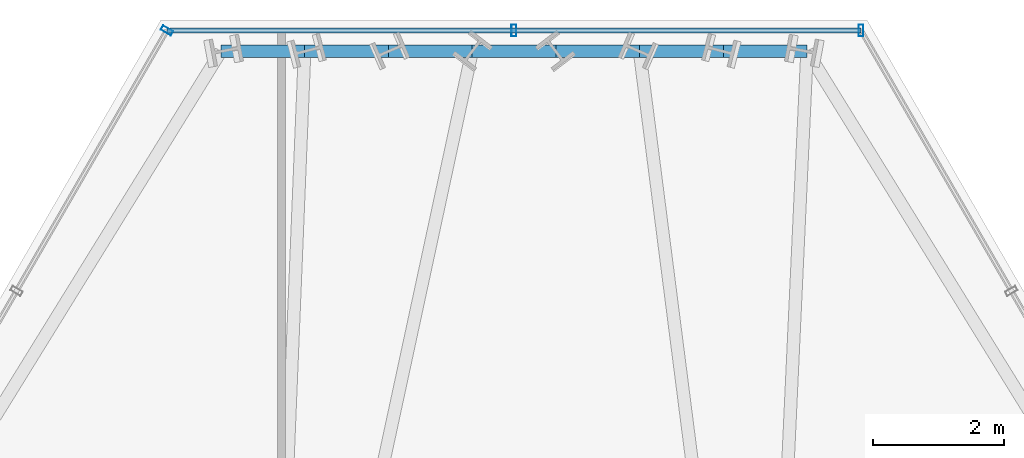
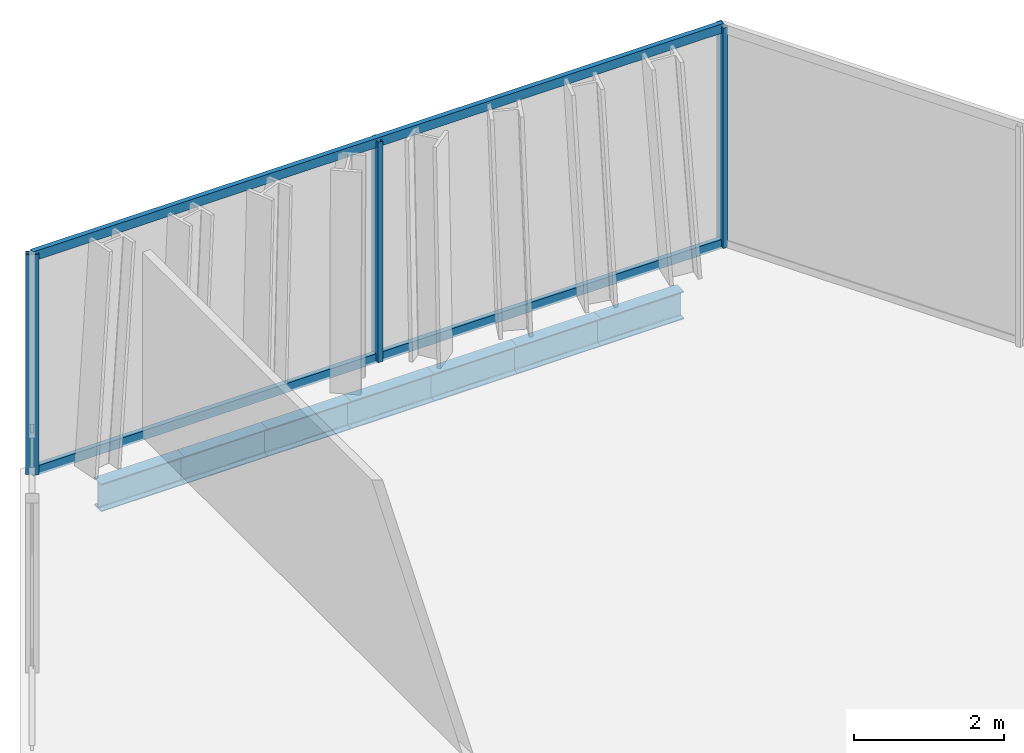
# One storey, part 24 of 33: 7 beams, 5 members, 2 elements without a shape of their own.
"""IFC4 building model written with IfcOpenShell, lengths in metres."""

from ifc_helpers import new_model, si_unit, direction, frame, origin, origin_2d, place, context, subcontext, project, spatial, hollow_rectangle, i_section, extrude, material, layer, layer_set, material_profile, profile_set, type_object, element, aggregate, save


model = new_model("IFC4")

# Units and contexts
model_context = context("Model", 3, precision=1e-05, world=origin(), true_north=direction((0.0, 1.0)))
body_context = subcontext(model_context, "Body", "Model", "MODEL_VIEW")
ifc_project = project(units=[si_unit("LENGTHUNIT", "METRE"), si_unit("AREAUNIT", "SQUARE_METRE"), si_unit("VOLUMEUNIT", "CUBIC_METRE"), si_unit("PLANEANGLEUNIT", "RADIAN"), si_unit("MASSUNIT", "GRAM", prefix="KILO")], contexts=[model_context])

# Site, building, storey
site_placement = place(None, origin())
site = spatial("IfcSite", under=ifc_project, at=site_placement, CompositionType="ELEMENT")
building_placement = place(site_placement, origin())
building = spatial("IfcBuilding", under=site, at=building_placement, Name="Ndaravel Arena Tower", CompositionType="ELEMENT")
storey_placement = place(building_placement, frame((0.0, 0.0, 168.800048828125)))
storey = spatial("IfcBuildingStorey", under=building, at=storey_placement, Name="L40", CompositionType="ELEMENT", Elevation=168.800048828125)

# Beams
ifc_material_1 = material(Name="Steel S355", Category="steel")
ifc_material_profile_1 = material_profile(ifc_material_1, i_section(OverallWidth=0.18994140625, OverallDepth=0.449951171875, WebThickness=0.009521484375, FlangeThickness=0.0146484375, FilletRadius=0.02099609375, at=origin_2d()), Name="IPE 450")
ifc_profile_set_1 = profile_set([ifc_material_profile_1], Name="Steel S355")
beam_type = type_object("IfcBeamType", Name="BM-SPAN-IPE450", PredefinedType="SPANDREL", material=ifc_profile_set_1)
for number, where, z_axis, x_axis, name in (
    (1, (46.480224609375, 45.881591796875, -0.445068359375), (-1.0, 0.0, 0.0), (0.0, -1.0, 0.0), "L40 Perimeter Spandrel Beam SP-11"),
    (2, (45.2001953125, 45.881591796875, -0.445068359375), (-1.0, 0.0, 0.0), (0.0, -1.0, 0.0), "L40 Perimeter Spandrel Beam SP-12"),
):
    element("IfcBeam", number, at=place(storey_placement, frame(where, z_axis=z_axis, x_axis=x_axis)), inside=storey, type_object=beam_type, Name=name, PredefinedType="SPANDREL", context=body_context, shape_type="SweptSolid", body=[
        extrude(i_section(OverallWidth=0.18994140625, OverallDepth=0.449951171875, WebThickness=0.009521484375, FlangeThickness=0.0146484375, FilletRadius=0.02099609375, at=origin_2d()), origin(), (0.0, 0.0, 1.0), 1.280029296875),
    ])
beam_1_placement = place(storey_placement, frame((43.920166015625, 45.881591796875, -0.445068359375), z_axis=(-1.0, 0.0, 0.0), x_axis=(0.0, -1.0, 0.0)))
element("IfcBeam", 3, at=beam_1_placement, inside=storey, type_object=beam_type, Name="L40 Perimeter Spandrel Beam SP-13", PredefinedType="SPANDREL", context=body_context, shape_type="SweptSolid", body=[
    extrude(i_section(OverallWidth=0.18994140625, OverallDepth=0.449951171875, WebThickness=0.009521484375, FlangeThickness=0.0146484375, FilletRadius=0.02099609375, at=origin_2d()), origin(), (0.0, 0.0, 1.0), 1.2802734375),
])
beam_2_placement = place(storey_placement, frame((42.639892578125, 45.881591796875, -0.445068359375), z_axis=(-1.0, 0.0, 0.0), x_axis=(0.0, -1.0, 0.0)))
element("IfcBeam", 4, at=beam_2_placement, inside=storey, type_object=beam_type, Name="L40 Perimeter Spandrel Beam SP-14", PredefinedType="SPANDREL", context=body_context, shape_type="SweptSolid", body=[
    extrude(i_section(OverallWidth=0.18994140625, OverallDepth=0.449951171875, WebThickness=0.009521484375, FlangeThickness=0.0146484375, FilletRadius=0.02099609375, at=origin_2d()), origin(), (0.0, 0.0, 1.0), 1.27978515625),
])
beam_3_placement = place(storey_placement, frame((41.360107421875, 45.881591796875, -0.445068359375), z_axis=(-1.0, 0.0, 0.0), x_axis=(0.0, -1.0, 0.0)))
element("IfcBeam", 5, at=beam_3_placement, inside=storey, type_object=beam_type, Name="L40 Perimeter Spandrel Beam SP-15", PredefinedType="SPANDREL", context=body_context, shape_type="SweptSolid", body=[
    extrude(i_section(OverallWidth=0.18994140625, OverallDepth=0.449951171875, WebThickness=0.009521484375, FlangeThickness=0.0146484375, FilletRadius=0.02099609375, at=origin_2d()), origin(), (0.0, 0.0, 1.0), 1.2802734375),
])
for number, where, z_axis, x_axis, name in (
    (6, (40.079833984375, 45.881591796875, -0.445068359375), (-1.0, 0.0, 0.0), (0.0, -1.0, 0.0), "L40 Perimeter Spandrel Beam SP-16"),
    (7, (38.7998046875, 45.881591796875, -0.445068359375), (-1.0, 0.0, 0.0), (0.0, -1.0, 0.0), "L40 Perimeter Spandrel Beam SP-17"),
):
    element("IfcBeam", number, at=place(storey_placement, frame(where, z_axis=z_axis, x_axis=x_axis)), inside=storey, type_object=beam_type, Name=name, PredefinedType="SPANDREL", context=body_context, shape_type="SweptSolid", body=[
        extrude(i_section(OverallWidth=0.18994140625, OverallDepth=0.449951171875, WebThickness=0.009521484375, FlangeThickness=0.0146484375, FilletRadius=0.02099609375, at=origin_2d()), origin(), (0.0, 0.0, 1.0), 1.280029296875),
    ])

# Curtain wall, members
ifc_material_2 = material(Name="Aluminium", Category="aluminium")
ifc_layer_1 = layer(ifc_material_2, 0.179931640625)
ifc_layer_set_1 = layer_set([ifc_layer_1], Name="Aluminium")
curtain_wall_type_1 = type_object("IfcCurtainWallType", Name="CW-SYS-01", PredefinedType="NOTDEFINED", material=ifc_layer_set_1)
curtain_wall_1_placement = place(storey_placement, origin())
curtain_wall_1 = element("IfcCurtainWall", 8, at=curtain_wall_1_placement, inside=storey, type_object=curtain_wall_type_1, Name="L40 Faceted Crystal Curtain Wall CW-L40-E04", PredefinedType="NOTDEFINED")
ifc_material_3 = material(Name="Aluminium", Category="aluminium")
ifc_material_profile_2 = material_profile(ifc_material_3, hollow_rectangle(XDim=0.074951171875, YDim=0.179931640625, WallThickness=0.00390625, at=origin_2d()), Name="CW MULLION 75x180x4")
ifc_profile_set_2 = profile_set([ifc_material_profile_2], Name="Aluminium")
member_type_1 = type_object("IfcMemberType", Name="MEM-CW-MUL180", PredefinedType="MULLION", material=ifc_profile_set_2)
member_1_placement = place(storey_placement, frame((47.304931640625, 46.20166015625, 0.0), z_axis=(0.0, 0.0, 1.0), x_axis=(-1.0, 0.0, 0.0)))
member_1 = element("IfcMember", 9, at=member_1_placement, type_object=member_type_1, Name="CW-L40-E04 Mullion 00", PredefinedType="MULLION", context=body_context, shape_type="SweptSolid", body=[
    extrude(hollow_rectangle(XDim=0.074951171875, YDim=0.179931640625, WallThickness=0.00390625, at=origin_2d()), origin(), (0.0, 0.0, 1.0), 3.579833984375),
])
member_2_placement = place(storey_placement, frame((42.0, 46.20166015625, 0.0), z_axis=(0.0, 0.0, 1.0), x_axis=(-1.0, 0.0, 0.0)))
member_2 = element("IfcMember", 10, at=member_2_placement, type_object=member_type_1, Name="CW-L40-E04 Mullion 01", PredefinedType="MULLION", context=body_context, shape_type="SweptSolid", body=[
    extrude(hollow_rectangle(XDim=0.074951171875, YDim=0.179931640625, WallThickness=0.00390625, at=origin_2d()), origin(), (0.0, 0.0, 1.0), 3.579833984375),
])

# Curtain wall, member
ifc_material_4 = material(Name="Aluminium", Category="aluminium")
ifc_layer_2 = layer(ifc_material_4, 0.179931640625)
ifc_layer_set_2 = layer_set([ifc_layer_2], Name="Aluminium")
curtain_wall_type_2 = type_object("IfcCurtainWallType", Name="CW-SYS-03", PredefinedType="NOTDEFINED", material=ifc_layer_set_2)
curtain_wall_2_placement = place(storey_placement, origin())
curtain_wall_2 = element("IfcCurtainWall", 11, at=curtain_wall_2_placement, inside=storey, type_object=curtain_wall_type_2, Name="L40 Faceted Crystal Curtain Wall CW-L40-E05", PredefinedType="NOTDEFINED")
member_3_placement = place(storey_placement, frame((36.695068359375, 46.20166015625, 0.0), z_axis=(0.0, 0.0, 1.0), x_axis=(-0.5, -0.866025403784, 0.0)))
member_3 = element("IfcMember", 12, at=member_3_placement, type_object=member_type_1, Name="CW-L40-E05 Mullion 00", PredefinedType="MULLION", context=body_context, shape_type="SweptSolid", body=[
    extrude(hollow_rectangle(XDim=0.074951171875, YDim=0.179931640625, WallThickness=0.00390625, at=origin_2d()), origin(), (0.0, 0.0, 1.0), 3.579833984375),
])
aggregate(curtain_wall_2, [member_3])

# Member
ifc_material_5 = material(Name="Aluminium", Category="aluminium")
ifc_material_profile_3 = material_profile(ifc_material_5, hollow_rectangle(XDim=0.074951171875, YDim=0.14990234375, WallThickness=0.00390625, at=origin_2d()), Name="CW TRANSOM 75x150x4")
ifc_profile_set_3 = profile_set([ifc_material_profile_3], Name="Aluminium")
member_type_2 = type_object("IfcMemberType", Name="MEM-CW-TRN150", PredefinedType="USERDEFINED", material=ifc_profile_set_3)
member_4_placement = place(storey_placement, frame((47.304931640625, 46.20166015625, 0.0400390625), z_axis=(-1.0, 0.0, 0.0), x_axis=(0.0, -1.0, 0.0)))
member_4 = element("IfcMember", 13, at=member_4_placement, type_object=member_type_2, Name="CW-L40-E04 Transom 01", ObjectType="TRANSOM", PredefinedType="USERDEFINED", context=body_context, shape_type="SweptSolid", body=[
    extrude(hollow_rectangle(XDim=0.074951171875, YDim=0.14990234375, WallThickness=0.00390625, at=origin_2d()), origin(), (0.0, 0.0, 1.0), 10.60986328125),
])

member_5_placement = place(storey_placement, frame((47.304931640625, 46.20166015625, 3.5400390625), z_axis=(-1.0, 0.0, 0.0), x_axis=(0.0, -1.0, 0.0)))
member_5 = element("IfcMember", 14, at=member_5_placement, type_object=member_type_2, Name="CW-L40-E04 Transom 02", ObjectType="TRANSOM", PredefinedType="USERDEFINED", context=body_context, shape_type="SweptSolid", body=[
    extrude(hollow_rectangle(XDim=0.074951171875, YDim=0.14990234375, WallThickness=0.00390625, at=origin_2d()), origin(), (0.0, 0.0, 1.0), 10.60986328125),
])

aggregate(curtain_wall_1, [member_1, member_2, member_4, member_5])

save(model, "model.ifc")
